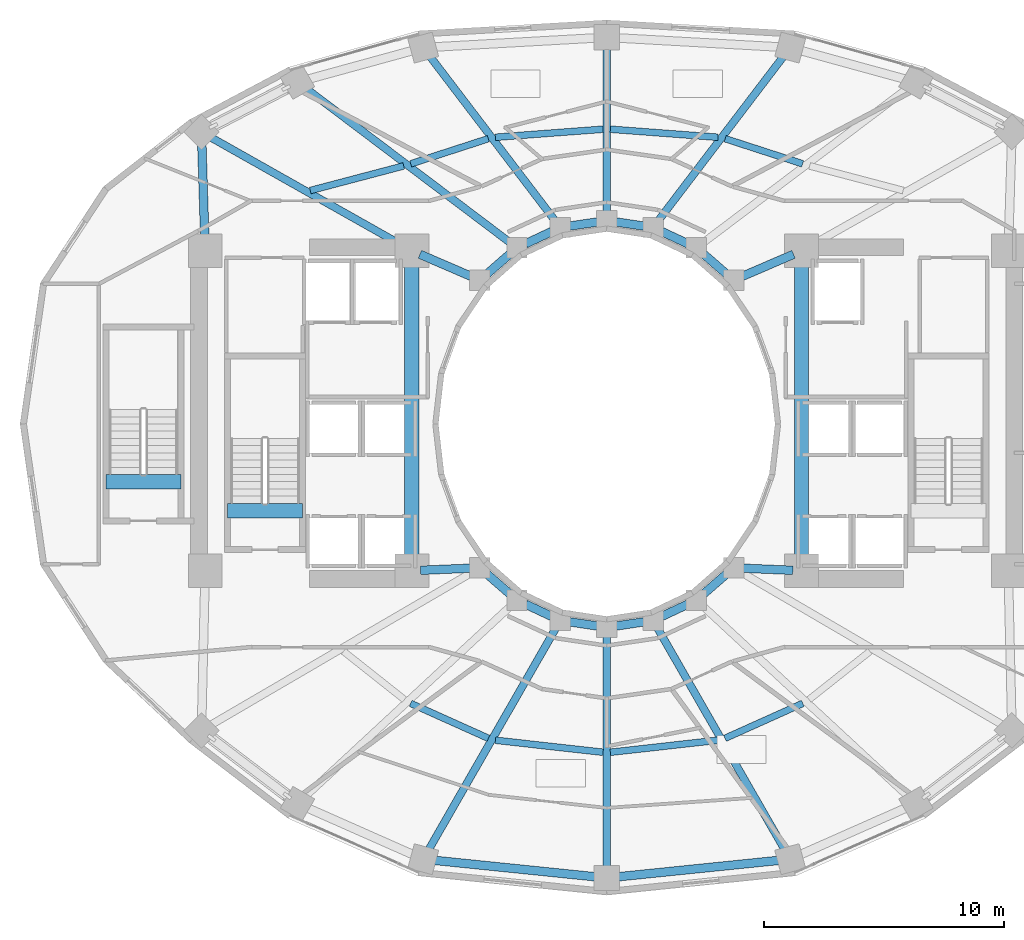
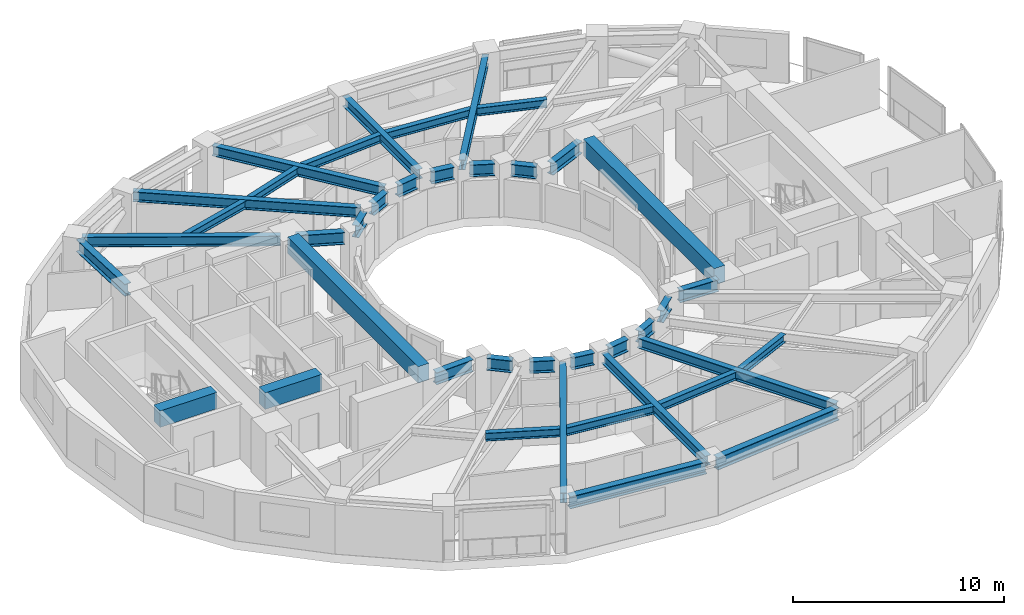
# One storey, part 3 of 18: 40 beams.
"""IFC4 building model written with IfcOpenShell, lengths in metres."""

from ifc_helpers import new_model, si_unit, direction, frame, origin, origin_2d, place, context, subcontext, project, spatial, rectangle, i_section, extrude, material, material_profile, profile_set, type_object, element, save


model = new_model("IFC4")

# Units and contexts
model_context = context("Model", 3, precision=1e-05, world=origin(), true_north=direction((0.0, 1.0)))
body_context = subcontext(model_context, "Body", "Model", "MODEL_VIEW")
ifc_project = project(units=[si_unit("LENGTHUNIT", "METRE"), si_unit("AREAUNIT", "SQUARE_METRE"), si_unit("VOLUMEUNIT", "CUBIC_METRE"), si_unit("PLANEANGLEUNIT", "RADIAN"), si_unit("MASSUNIT", "GRAM", prefix="KILO")], contexts=[model_context])

# Site, building, storey
site_placement = place(None, origin())
site = spatial("IfcSite", under=ifc_project, at=site_placement, CompositionType="ELEMENT")
building_placement = place(site_placement, origin())
building = spatial("IfcBuilding", under=site, at=building_placement, Name="Solvane Sanctuary Tower", CompositionType="ELEMENT")
storey_placement = place(building_placement, frame((0.0, 0.0, 94.89990234375)))
storey = spatial("IfcBuildingStorey", under=building, at=storey_placement, Name="L28", CompositionType="ELEMENT", Elevation=94.89990234375)

# Beams
ifc_material_1 = material(Name="Concrete C70/85", Category="concrete")
ifc_material_profile_1 = material_profile(ifc_material_1, rectangle(XDim=0.60009765625, YDim=0.949951171875, at=origin_2d()), Name="RC600X950")
ifc_profile_set_1 = profile_set([ifc_material_profile_1], Name="Concrete C70/85")
beam_type_1 = type_object("IfcBeamType", Name="Beam B-COUPLE RC600X950", PredefinedType="LINTEL", material=ifc_profile_set_1)
for number, where, z_axis, x_axis, name in (
    (1, (23.89990234375, 17.35009765625, 2.625), (0.0, 1.0, 0.0), (-1.0, 0.0, 0.0), "L28 West Core Coupling Lintel"),
    (2, (40.10009765625, 17.35009765625, 2.625), (0.0, 1.0, 0.0), (-1.0, 0.0, 0.0), "L28 East Core Coupling Lintel"),
):
    element("IfcBeam", number, at=place(storey_placement, frame(where, z_axis=z_axis, x_axis=x_axis)), inside=storey, type_object=beam_type_1, Name=name, PredefinedType="LINTEL", context=body_context, shape_type="SweptSolid", body=[
        extrude(rectangle(XDim=0.60009765625, YDim=0.949951171875, at=origin_2d()), origin(), (0.0, 0.0, 1.0), 12.39990234375),
    ])
for number, where, z_axis, x_axis, name in (
    (3, (16.22998046875, 19.399169921875, 2.625), (1.0, 0.0, 0.0), (0.0, 1.0, 0.0), "L28 ST-1 Stair Floor Landing Trimmer"),
    (4, (11.169921875, 20.59912109375, 2.625), (1.0, 0.0, 0.0), (0.0, 1.0, 0.0), "L28 ST-3 Stair Floor Landing Trimmer"),
):
    element("IfcBeam", number, at=place(storey_placement, frame(where, z_axis=z_axis, x_axis=x_axis)), inside=storey, type_object=beam_type_1, Name=name, PredefinedType="LINTEL", context=body_context, shape_type="SweptSolid", body=[
        extrude(rectangle(XDim=0.60009765625, YDim=0.949951171875, at=origin_2d()), origin(), (0.0, 0.0, 1.0), 3.1201171875),
    ])
ifc_material_2 = material(Name="Steel ASTM A992 Grade 50", Category="steel")
ifc_material_profile_2 = material_profile(ifc_material_2, i_section(OverallWidth=0.31494140625, OverallDepth=0.575927734375, WebThickness=0.01513671875, FlangeThickness=0.0244140625, FilletRadius=0.014892578125, at=origin_2d()), Name="W21X122")
ifc_profile_set_2 = profile_set([ifc_material_profile_2], Name="Steel ASTM A992 Grade 50")
beam_type_2 = type_object("IfcBeamType", Name="Beam B-RAD-Z2 W21X122", PredefinedType="BEAM", material=ifc_profile_set_2)
beam_1_placement = place(storey_placement, frame((34.1005859375, 31.394287109375, 2.590087890625), z_axis=(0.605972515369, 0.795485581653, 0.0), x_axis=(-0.795485581653, 0.605972515369, 0.0)))
element("IfcBeam", 5, at=beam_1_placement, inside=storey, type_object=beam_type_2, Name="L28 Radial Composite Floor Beam 03", PredefinedType="BEAM", context=body_context, shape_type="SweptSolid", body=[
    extrude(i_section(OverallWidth=0.31494140625, OverallDepth=0.575927734375, WebThickness=0.01513671875, FlangeThickness=0.0244140625, FilletRadius=0.014892578125, at=origin_2d()), origin(), (0.0, 0.0, 1.0), 8.84375),
])
beam_2_placement = place(storey_placement, frame((32.0, 31.739990234375, 2.590087890625), z_axis=(0.0, 1.0, 0.0), x_axis=(-1.0, 0.0, 0.0)))
element("IfcBeam", 6, at=beam_2_placement, inside=storey, type_object=beam_type_2, Name="L28 Radial Composite Floor Beam 04", PredefinedType="BEAM", context=body_context, shape_type="SweptSolid", body=[
    extrude(i_section(OverallWidth=0.31494140625, OverallDepth=0.575927734375, WebThickness=0.01513671875, FlangeThickness=0.0244140625, FilletRadius=0.014892578125, at=origin_2d()), origin(), (0.0, 0.0, 1.0), 7.06005859375),
])
beam_3_placement = place(storey_placement, frame((29.8994140625, 31.394287109375, 2.590087890625), z_axis=(-0.605972515369, 0.795485581653, 0.0), x_axis=(-0.795485581653, -0.605972515369, 0.0)))
element("IfcBeam", 7, at=beam_3_placement, inside=storey, type_object=beam_type_2, Name="L28 Radial Composite Floor Beam 05", PredefinedType="BEAM", context=body_context, shape_type="SweptSolid", body=[
    extrude(i_section(OverallWidth=0.31494140625, OverallDepth=0.575927734375, WebThickness=0.01513671875, FlangeThickness=0.0244140625, FilletRadius=0.014892578125, at=origin_2d()), origin(), (0.0, 0.0, 1.0), 8.84375),
])
beam_4_placement = place(storey_placement, frame((28.04638671875, 30.495361328125, 2.590087890625), z_axis=(-0.798116040134, 0.602503764703, 0.0), x_axis=(-0.602503764703, -0.798116040134, 0.0)))
element("IfcBeam", 8, at=beam_4_placement, inside=storey, type_object=beam_type_2, Name="L28 Radial Composite Floor Beam 06", PredefinedType="BEAM", context=body_context, shape_type="SweptSolid", body=[
    extrude(i_section(OverallWidth=0.31494140625, OverallDepth=0.575927734375, WebThickness=0.01513671875, FlangeThickness=0.0244140625, FilletRadius=0.014892578125, at=origin_2d()), origin(), (0.0, 0.0, 1.0), 10.876953125),
])
beam_5_placement = place(storey_placement, frame((23.58642578125, 30.376953125, 2.590087890625), z_axis=(-0.870960247151, 0.491353485673, 0.0), x_axis=(-0.491353485673, -0.870960247151, 0.0)))
element("IfcBeam", 9, at=beam_5_placement, inside=storey, type_object=beam_type_2, Name="L28 Radial Composite Floor Beam 07", PredefinedType="BEAM", context=body_context, shape_type="SweptSolid", body=[
    extrude(i_section(OverallWidth=0.31494140625, OverallDepth=0.575927734375, WebThickness=0.01513671875, FlangeThickness=0.0244140625, FilletRadius=0.014892578125, at=origin_2d()), origin(), (0.0, 0.0, 1.0), 9.409912109375),
])
beam_6_placement = place(storey_placement, frame((29.9296875, 14.58544921875, 2.590087890625), z_axis=(-0.497792245326, -0.8672963049, 0.0), x_axis=(0.8672963049, -0.497792245326, 0.0)))
element("IfcBeam", 10, at=beam_6_placement, inside=storey, type_object=beam_type_2, Name="L28 Radial Composite Floor Beam 10", PredefinedType="BEAM", context=body_context, shape_type="SweptSolid", body=[
    extrude(i_section(OverallWidth=0.31494140625, OverallDepth=0.575927734375, WebThickness=0.01513671875, FlangeThickness=0.0244140625, FilletRadius=0.014892578125, at=origin_2d()), origin(), (0.0, 0.0, 1.0), 10.887451171875),
])
beam_7_placement = place(storey_placement, frame((32.0, 14.260009765625, 2.590087890625), z_axis=(0.0, -1.0, 0.0), x_axis=(1.0, 0.0, 0.0)))
element("IfcBeam", 11, at=beam_7_placement, inside=storey, type_object=beam_type_2, Name="L28 Radial Composite Floor Beam 11", PredefinedType="BEAM", context=body_context, shape_type="SweptSolid", body=[
    extrude(i_section(OverallWidth=0.31494140625, OverallDepth=0.575927734375, WebThickness=0.01513671875, FlangeThickness=0.0244140625, FilletRadius=0.014892578125, at=origin_2d()), origin(), (0.0, 0.0, 1.0), 9.860107421875),
])
beam_8_placement = place(storey_placement, frame((34.0703125, 14.58544921875, 2.590087890625), z_axis=(0.497792245326, -0.8672963049, 0.0), x_axis=(0.8672963049, 0.497792245326, 0.0)))
element("IfcBeam", 12, at=beam_8_placement, inside=storey, type_object=beam_type_2, Name="L28 Radial Composite Floor Beam 12", PredefinedType="BEAM", context=body_context, shape_type="SweptSolid", body=[
    extrude(i_section(OverallWidth=0.31494140625, OverallDepth=0.575927734375, WebThickness=0.01513671875, FlangeThickness=0.0244140625, FilletRadius=0.014892578125, at=origin_2d()), origin(), (0.0, 0.0, 1.0), 10.887451171875),
])
ifc_material_profile_3 = material_profile(ifc_material_2, i_section(OverallWidth=0.35498046875, OverallDepth=0.695068359375, WebThickness=0.015380859375, FlangeThickness=0.02490234375, FilletRadius=0.01806640625, at=origin_2d()), Name="W27X146")
ifc_profile_set_3 = profile_set([ifc_material_profile_3], Name="Steel ASTM A992 Grade 50")
beam_type_3 = type_object("IfcBeamType", Name="Beam B-RING-IN1 W27X146", PredefinedType="BEAM", material=ifc_profile_set_3)
beam_9_placement = place(storey_placement, frame((24.230712890625, 30.0576171875, 2.530517578125), z_axis=(0.918261456479, -0.3959746173, 0.0), x_axis=(0.3959746173, 0.918261456479, 0.0)))
element("IfcBeam", 13, at=beam_9_placement, inside=storey, type_object=beam_type_3, Name="L28 Inner Light-Well Ring Beam CW3-IC07", PredefinedType="BEAM", context=body_context, shape_type="SweptSolid", body=[
    extrude(i_section(OverallWidth=0.35498046875, OverallDepth=0.695068359375, WebThickness=0.015380859375, FlangeThickness=0.02490234375, FilletRadius=0.01806640625, at=origin_2d()), origin(), (0.0, 0.0, 1.0), 2.3212890625),
])
beam_10_placement = place(storey_placement, frame((27.02294921875, 29.241455078125, 2.530517578125), z_axis=(0.754317177099, 0.656510164684, 0.0), x_axis=(-0.656510164684, 0.754317177099, 0.0)))
element("IfcBeam", 14, at=beam_10_placement, inside=storey, type_object=beam_type_3, Name="L28 Inner Light-Well Ring Beam IC07-IC06", PredefinedType="BEAM", context=body_context, shape_type="SweptSolid", body=[
    extrude(i_section(OverallWidth=0.35498046875, OverallDepth=0.695068359375, WebThickness=0.015380859375, FlangeThickness=0.02490234375, FilletRadius=0.01806640625, at=origin_2d()), origin(), (0.0, 0.0, 1.0), 1.258056640625),
])
beam_11_placement = place(storey_placement, frame((28.62744140625, 30.494384765625, 2.530517578125), z_axis=(0.905044882818, 0.425316070804, 0.0), x_axis=(-0.425316070804, 0.905044882818, 0.0)))
element("IfcBeam", 15, at=beam_11_placement, inside=storey, type_object=beam_type_3, Name="L28 Inner Light-Well Ring Beam IC06-IC05", PredefinedType="BEAM", context=body_context, shape_type="SweptSolid", body=[
    extrude(i_section(OverallWidth=0.35498046875, OverallDepth=0.695068359375, WebThickness=0.015380859375, FlangeThickness=0.02490234375, FilletRadius=0.01806640625, at=origin_2d()), origin(), (0.0, 0.0, 1.0), 1.197998046875),
])
for number, where, z_axis, x_axis, name in (
    (16, (30.4599609375, 31.22998046875, 2.530517578125), (0.989034751611, 0.147682971619, 0.0), (-0.147682971619, 0.989034751611, 0.0), "L28 Inner Light-Well Ring Beam IC05-IC04"),
    (17, (32.390625, 31.401611328125, 2.530517578125), (0.989034751611, -0.147682971619, 0.0), (0.147682971619, 0.989034751611, 0.0), "L28 Inner Light-Well Ring Beam IC04-IC03"),
):
    element("IfcBeam", number, at=place(storey_placement, frame(where, z_axis=z_axis, x_axis=x_axis)), inside=storey, type_object=beam_type_3, Name=name, PredefinedType="BEAM", context=body_context, shape_type="SweptSolid", body=[
        extrude(i_section(OverallWidth=0.35498046875, OverallDepth=0.695068359375, WebThickness=0.015380859375, FlangeThickness=0.02490234375, FilletRadius=0.01806640625, at=origin_2d()), origin(), (0.0, 0.0, 1.0), 1.162109375),
    ])
beam_12_placement = place(storey_placement, frame((34.288330078125, 31.00390625, 2.530517578125), z_axis=(0.905044882818, -0.425316070804, 0.0), x_axis=(0.425316070804, 0.905044882818, 0.0)))
element("IfcBeam", 18, at=beam_12_placement, inside=storey, type_object=beam_type_3, Name="L28 Inner Light-Well Ring Beam IC03-IC02", PredefinedType="BEAM", context=body_context, shape_type="SweptSolid", body=[
    extrude(i_section(OverallWidth=0.35498046875, OverallDepth=0.695068359375, WebThickness=0.015380859375, FlangeThickness=0.02490234375, FilletRadius=0.01806640625, at=origin_2d()), origin(), (0.0, 0.0, 1.0), 1.197998046875),
])
beam_13_placement = place(storey_placement, frame((36.028076171875, 30.0673828125, 2.530517578125), z_axis=(0.754317177099, -0.656510164684, 0.0), x_axis=(0.656510164684, 0.754317177099, 0.0)))
element("IfcBeam", 19, at=beam_13_placement, inside=storey, type_object=beam_type_3, Name="L28 Inner Light-Well Ring Beam IC02-IC01", PredefinedType="BEAM", context=body_context, shape_type="SweptSolid", body=[
    extrude(i_section(OverallWidth=0.35498046875, OverallDepth=0.695068359375, WebThickness=0.015380859375, FlangeThickness=0.02490234375, FilletRadius=0.01806640625, at=origin_2d()), origin(), (0.0, 0.0, 1.0), 1.258056640625),
])
beam_14_placement = place(storey_placement, frame((37.6376953125, 29.138427734375, 2.530517578125), z_axis=(0.918261456479, 0.3959746173, 0.0), x_axis=(-0.3959746173, 0.918261456479, 0.0)))
element("IfcBeam", 20, at=beam_14_placement, inside=storey, type_object=beam_type_3, Name="L28 Inner Light-Well Ring Beam IC01-CE4", PredefinedType="BEAM", context=body_context, shape_type="SweptSolid", body=[
    extrude(i_section(OverallWidth=0.35498046875, OverallDepth=0.695068359375, WebThickness=0.015380859375, FlangeThickness=0.02490234375, FilletRadius=0.01806640625, at=origin_2d()), origin(), (0.0, 0.0, 1.0), 2.3212890625),
])
beam_15_placement = place(storey_placement, frame((24.259765625, 16.9150390625, 2.530517578125), z_axis=(0.999130007788, 0.041704047018, 0.0), x_axis=(-0.041704047018, 0.999130007788, 0.0)))
element("IfcBeam", 21, at=beam_15_placement, inside=storey, type_object=beam_type_3, Name="L28 Inner Light-Well Ring Beam CW2-IC08", PredefinedType="BEAM", context=body_context, shape_type="SweptSolid", body=[
    extrude(i_section(OverallWidth=0.35498046875, OverallDepth=0.695068359375, WebThickness=0.015380859375, FlangeThickness=0.02490234375, FilletRadius=0.01806640625, at=origin_2d()), origin(), (0.0, 0.0, 1.0), 2.072265625),
])
beam_16_placement = place(storey_placement, frame((27.02294921875, 16.758544921875, 2.530517578125), z_axis=(0.754317177099, -0.656510164684, 0.0), x_axis=(0.656510164684, 0.754317177099, 0.0)))
element("IfcBeam", 22, at=beam_16_placement, inside=storey, type_object=beam_type_3, Name="L28 Inner Light-Well Ring Beam IC08-IC09", PredefinedType="BEAM", context=body_context, shape_type="SweptSolid", body=[
    extrude(i_section(OverallWidth=0.35498046875, OverallDepth=0.695068359375, WebThickness=0.015380859375, FlangeThickness=0.02490234375, FilletRadius=0.01806640625, at=origin_2d()), origin(), (0.0, 0.0, 1.0), 1.258056640625),
])
beam_17_placement = place(storey_placement, frame((28.62744140625, 15.505615234375, 2.530517578125), z_axis=(0.905044882818, -0.425316070804, 0.0), x_axis=(0.425316070804, 0.905044882818, 0.0)))
element("IfcBeam", 23, at=beam_17_placement, inside=storey, type_object=beam_type_3, Name="L28 Inner Light-Well Ring Beam IC09-IC10", PredefinedType="BEAM", context=body_context, shape_type="SweptSolid", body=[
    extrude(i_section(OverallWidth=0.35498046875, OverallDepth=0.695068359375, WebThickness=0.015380859375, FlangeThickness=0.02490234375, FilletRadius=0.01806640625, at=origin_2d()), origin(), (0.0, 0.0, 1.0), 1.197998046875),
])
for number, where, z_axis, x_axis, name in (
    (24, (30.4599609375, 14.77001953125, 2.530517578125), (0.989034751611, -0.147682971619, 0.0), (0.147682971619, 0.989034751611, 0.0), "L28 Inner Light-Well Ring Beam IC10-IC11"),
    (25, (32.390625, 14.598388671875, 2.530517578125), (0.989034751611, 0.147682971619, 0.0), (-0.147682971619, 0.989034751611, 0.0), "L28 Inner Light-Well Ring Beam IC11-IC12"),
):
    element("IfcBeam", number, at=place(storey_placement, frame(where, z_axis=z_axis, x_axis=x_axis)), inside=storey, type_object=beam_type_3, Name=name, PredefinedType="BEAM", context=body_context, shape_type="SweptSolid", body=[
        extrude(i_section(OverallWidth=0.35498046875, OverallDepth=0.695068359375, WebThickness=0.015380859375, FlangeThickness=0.02490234375, FilletRadius=0.01806640625, at=origin_2d()), origin(), (0.0, 0.0, 1.0), 1.162109375),
    ])
beam_18_placement = place(storey_placement, frame((34.288330078125, 14.99609375, 2.530517578125), z_axis=(0.905044882818, 0.425316070804, 0.0), x_axis=(-0.425316070804, 0.905044882818, 0.0)))
element("IfcBeam", 26, at=beam_18_placement, inside=storey, type_object=beam_type_3, Name="L28 Inner Light-Well Ring Beam IC12-IC13", PredefinedType="BEAM", context=body_context, shape_type="SweptSolid", body=[
    extrude(i_section(OverallWidth=0.35498046875, OverallDepth=0.695068359375, WebThickness=0.015380859375, FlangeThickness=0.02490234375, FilletRadius=0.01806640625, at=origin_2d()), origin(), (0.0, 0.0, 1.0), 1.197998046875),
])
beam_19_placement = place(storey_placement, frame((36.028076171875, 15.9326171875, 2.530517578125), z_axis=(0.754317177099, 0.656510164684, 0.0), x_axis=(-0.656510164684, 0.754317177099, 0.0)))
element("IfcBeam", 27, at=beam_19_placement, inside=storey, type_object=beam_type_3, Name="L28 Inner Light-Well Ring Beam IC13-IC14", PredefinedType="BEAM", context=body_context, shape_type="SweptSolid", body=[
    extrude(i_section(OverallWidth=0.35498046875, OverallDepth=0.695068359375, WebThickness=0.015380859375, FlangeThickness=0.02490234375, FilletRadius=0.01806640625, at=origin_2d()), origin(), (0.0, 0.0, 1.0), 1.258056640625),
])
beam_20_placement = place(storey_placement, frame((37.669677734375, 17.00146484375, 2.530517578125), z_axis=(0.999130007788, -0.041704047018, 0.0), x_axis=(0.041704047018, 0.999130007788, 0.0)))
element("IfcBeam", 28, at=beam_20_placement, inside=storey, type_object=beam_type_3, Name="L28 Inner Light-Well Ring Beam IC14-CE1", PredefinedType="BEAM", context=body_context, shape_type="SweptSolid", body=[
    extrude(i_section(OverallWidth=0.35498046875, OverallDepth=0.695068359375, WebThickness=0.015380859375, FlangeThickness=0.02490234375, FilletRadius=0.01806640625, at=origin_2d()), origin(), (0.0, 0.0, 1.0), 2.072265625),
])
ifc_material_profile_4 = material_profile(ifc_material_2, i_section(OverallWidth=0.280029296875, OverallDepth=0.462890625, WebThickness=0.0107421875, FlangeThickness=0.017333984375, FilletRadius=0.013916015625, at=origin_2d()), Name="W18X76")
ifc_profile_set_4 = profile_set([ifc_material_profile_4], Name="Steel ASTM A992 Grade 50")
beam_type_4 = type_object("IfcBeamType", Name="Beam B-SEC-JOIST W18X76", PredefinedType="JOIST", material=ifc_profile_set_4)
beam_21_placement = place(storey_placement, frame((19.6708984375, 32.7080078125, 2.646484375), z_axis=(0.966943832831, 0.2549894589, 0.0), x_axis=(-0.2549894589, 0.966943832831, 0.0)))
element("IfcBeam", 29, at=beam_21_placement, inside=storey, type_object=beam_type_4, Name="L28 Secondary Circumferential Joist 07-06", PredefinedType="JOIST", context=body_context, shape_type="SweptSolid", body=[
    extrude(i_section(OverallWidth=0.280029296875, OverallDepth=0.462890625, WebThickness=0.0107421875, FlangeThickness=0.017333984375, FilletRadius=0.013916015625, at=origin_2d()), origin(), (0.0, 0.0, 1.0), 4.020263671875),
])
beam_22_placement = place(storey_placement, frame((23.850830078125, 33.819091796875, 2.646484375), z_axis=(0.951216534175, 0.308524075416, 0.0), x_axis=(-0.308524075416, 0.951216534175, 0.0)))
element("IfcBeam", 30, at=beam_22_placement, inside=storey, type_object=beam_type_4, Name="L28 Secondary Circumferential Joist 06-05", PredefinedType="JOIST", context=body_context, shape_type="SweptSolid", body=[
    extrude(i_section(OverallWidth=0.280029296875, OverallDepth=0.462890625, WebThickness=0.0107421875, FlangeThickness=0.017333984375, FilletRadius=0.013916015625, at=origin_2d()), origin(), (0.0, 0.0, 1.0), 3.38916015625),
])
for number, where, z_axis, x_axis, name in (
    (31, (27.3720703125, 34.92333984375, 2.646484375), (0.997207316227, 0.074683120339, 0.0), (-0.074683120339, 0.997207316227, 0.0), "L28 Secondary Circumferential Joist 05-04"),
    (32, (32.152099609375, 35.258544921875, 2.646484375), (0.997207316227, -0.074683120339, 0.0), (0.074683120339, 0.997207316227, 0.0), "L28 Secondary Circumferential Joist 04-03"),
):
    element("IfcBeam", number, at=place(storey_placement, frame(where, z_axis=z_axis, x_axis=x_axis)), inside=storey, type_object=beam_type_4, Name=name, PredefinedType="JOIST", context=body_context, shape_type="SweptSolid", body=[
        extrude(i_section(OverallWidth=0.280029296875, OverallDepth=0.462890625, WebThickness=0.0107421875, FlangeThickness=0.017333984375, FilletRadius=0.013916015625, at=origin_2d()), origin(), (0.0, 0.0, 1.0), 4.48828125),
    ])
beam_23_placement = place(storey_placement, frame((36.92529296875, 34.86474609375, 2.646484375), z_axis=(0.951216534175, -0.308524075416, 0.0), x_axis=(0.308524075416, 0.951216534175, 0.0)))
element("IfcBeam", 33, at=beam_23_placement, inside=storey, type_object=beam_type_4, Name="L28 Secondary Circumferential Joist 03-02", PredefinedType="JOIST", context=body_context, shape_type="SweptSolid", body=[
    extrude(i_section(OverallWidth=0.280029296875, OverallDepth=0.462890625, WebThickness=0.0107421875, FlangeThickness=0.017333984375, FilletRadius=0.013916015625, at=origin_2d()), origin(), (0.0, 0.0, 1.0), 3.38916015625),
])
beam_24_placement = place(storey_placement, frame((23.844970703125, 11.381103515625, 2.646484375), z_axis=(0.912109406194, -0.409946863792, 0.0), x_axis=(0.409946863792, 0.912109406194, 0.0)))
element("IfcBeam", 34, at=beam_24_placement, inside=storey, type_object=beam_type_4, Name="L28 Secondary Circumferential Joist 09-10", PredefinedType="JOIST", context=body_context, shape_type="SweptSolid", body=[
    extrude(i_section(OverallWidth=0.280029296875, OverallDepth=0.462890625, WebThickness=0.0107421875, FlangeThickness=0.017333984375, FilletRadius=0.013916015625, at=origin_2d()), origin(), (0.0, 0.0, 1.0), 3.547607421875),
])
for number, where, z_axis, x_axis, name in (
    (35, (27.37158203125, 9.847412109375, 2.646484375), (0.993808821383, -0.111103674747, 0.0), (0.111103674747, 0.993808821383, 0.0), "L28 Secondary Circumferential Joist 10-11"),
    (36, (32.151611328125, 9.346923828125, 2.646484375), (0.993808821383, 0.111103674747, 0.0), (-0.111103674747, 0.993808821383, 0.0), "L28 Secondary Circumferential Joist 11-12"),
):
    element("IfcBeam", number, at=place(storey_placement, frame(where, z_axis=z_axis, x_axis=x_axis)), inside=storey, type_object=beam_type_4, Name=name, PredefinedType="JOIST", context=body_context, shape_type="SweptSolid", body=[
        extrude(i_section(OverallWidth=0.280029296875, OverallDepth=0.462890625, WebThickness=0.0107421875, FlangeThickness=0.017333984375, FilletRadius=0.013916015625, at=origin_2d()), origin(), (0.0, 0.0, 1.0), 4.504638671875),
    ])
beam_25_placement = place(storey_placement, frame((36.919189453125, 9.9267578125, 2.646484375), z_axis=(0.912109406194, 0.409946863792, 0.0), x_axis=(-0.409946863792, 0.912109406194, 0.0)))
element("IfcBeam", 37, at=beam_25_placement, inside=storey, type_object=beam_type_4, Name="L28 Secondary Circumferential Joist 12-13", PredefinedType="JOIST", context=body_context, shape_type="SweptSolid", body=[
    extrude(i_section(OverallWidth=0.280029296875, OverallDepth=0.462890625, WebThickness=0.0107421875, FlangeThickness=0.017333984375, FilletRadius=0.013916015625, at=origin_2d()), origin(), (0.0, 0.0, 1.0), 3.547607421875),
])
ifc_material_profile_5 = material_profile(ifc_material_2, i_section(OverallWidth=0.35791015625, OverallDepth=0.7060546875, WebThickness=0.018310546875, FlangeThickness=0.0302734375, FilletRadius=0.01806640625, at=origin_2d()), Name="W27X178")
ifc_profile_set_5 = profile_set([ifc_material_profile_5], Name="Steel ASTM A992 Grade 50")
beam_type_5 = type_object("IfcBeamType", Name="Beam B-SPAND-Z2 W27X178", PredefinedType="SPANDREL", material=ifc_profile_set_5)
beam_26_placement = place(storey_placement, frame((15.291259765625, 30.47998046875, 2.525146484375), z_axis=(-0.03093371985, 0.999521437977, 0.0), x_axis=(-0.999521437977, -0.03093371985, 0.0)))
element("IfcBeam", 38, at=beam_26_placement, inside=storey, type_object=beam_type_5, Name="L28 Perimeter Spandrel Beam CW4-TC07", PredefinedType="SPANDREL", context=body_context, shape_type="SweptSolid", body=[
    extrude(i_section(OverallWidth=0.35791015625, OverallDepth=0.7060546875, WebThickness=0.018310546875, FlangeThickness=0.0302734375, FilletRadius=0.01806640625, at=origin_2d()), origin(), (0.0, 0.0, 1.0), 4.38037109375),
])
for number, where, z_axis, x_axis, name in (
    (39, (24.649169921875, 4.87158203125, 2.525146484375), (0.994813029025, -0.101720387737, 0.0), (0.101720387737, 0.994813029025, 0.0), "L28 Perimeter Spandrel Beam TC10-TC11"),
    (40, (32.278564453125, 4.1484375, 2.525146484375), (0.994813029025, 0.101720387737, 0.0), (-0.101720387737, 0.994813029025, 0.0), "L28 Perimeter Spandrel Beam TC11-TC12"),
):
    element("IfcBeam", number, at=place(storey_placement, frame(where, z_axis=z_axis, x_axis=x_axis)), inside=storey, type_object=beam_type_5, Name=name, PredefinedType="SPANDREL", context=body_context, shape_type="SweptSolid", body=[
        extrude(i_section(OverallWidth=0.35791015625, OverallDepth=0.7060546875, WebThickness=0.018310546875, FlangeThickness=0.0302734375, FilletRadius=0.01806640625, at=origin_2d()), origin(), (0.0, 0.0, 1.0), 7.109130859375),
    ])

save(model, "model.ifc")
